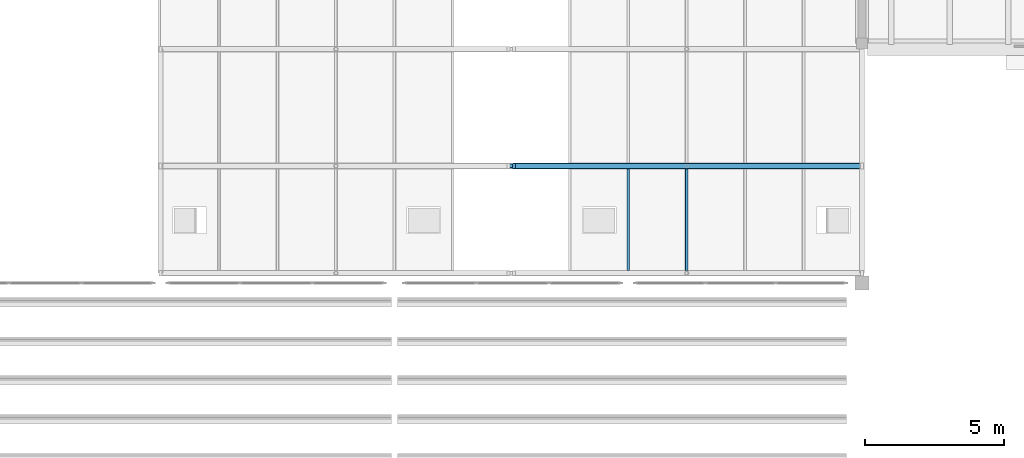
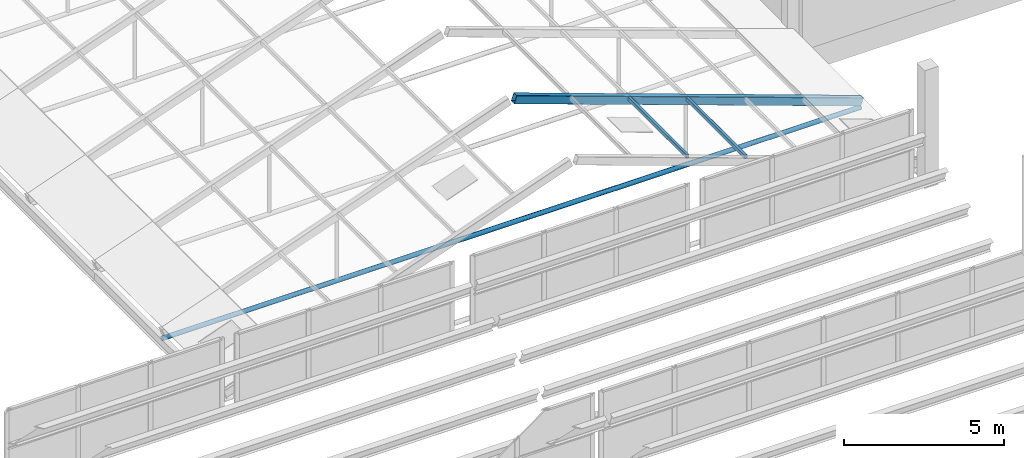
# One storey, part 29 of 116: 4 members.
"""IFC4 building model written with IfcOpenShell, lengths in metres."""

from ifc_helpers import new_model, si_unit, direction, frame, origin, origin_2d, place, context, subcontext, project, spatial, hollow_rectangle, hollow_circle, extrude, material, material_profile, profile_set, type_object, element, save


model = new_model("IFC4")

# Units and contexts
model_context = context("Model", 3, precision=1e-05, world=origin(), true_north=direction((0.0, 1.0)))
body_context = subcontext(model_context, "Body", "Model", "MODEL_VIEW")
ifc_project = project(units=[si_unit("LENGTHUNIT", "METRE"), si_unit("AREAUNIT", "SQUARE_METRE"), si_unit("VOLUMEUNIT", "CUBIC_METRE"), si_unit("PLANEANGLEUNIT", "RADIAN"), si_unit("MASSUNIT", "GRAM", prefix="KILO")], contexts=[model_context])

# Site, building, storey
site_placement = place(None, origin())
site = spatial("IfcSite", under=ifc_project, at=site_placement, CompositionType="ELEMENT")
building_placement = place(site_placement, origin())
building = spatial("IfcBuilding", under=site, at=building_placement, Name="Fescue Hill Polytechnic", CompositionType="ELEMENT")
storey_placement = place(building_placement, frame((0.0, 0.0, 13.5)))
storey = spatial("IfcBuildingStorey", under=building, at=storey_placement, Name="L03", CompositionType="ELEMENT", Elevation=13.5)

# Members
ifc_material = material(Name="Steel 350W (350 MPa)", Category="steel")
ifc_material_profile_1 = material_profile(ifc_material, hollow_rectangle(XDim=0.1015625, YDim=0.15234375, WallThickness=0.00634765625, InnerFilletRadius=0.00634765625, OuterFilletRadius=0.0126953125, at=origin_2d()), Name="Winter garden glazing purlin HSS 152x102x6.4")
ifc_profile_set_1 = profile_set([ifc_material_profile_1], Name="Steel 350W (350 MPa)")
member_type_1 = type_object("IfcMemberType", Name="Winter garden glazing purlin HSS 152x102x6.4", PredefinedType="PURLIN", material=ifc_profile_set_1)
for number, where, z_axis, x_axis, name in (
    (1, (111.30029296875, 50.8515625, 2.914306640625), (0.0, 1.0, 0.0), (-1.0, 0.0, 0.0), "Winter garden glazing purlin E3 bay 1"),
    (2, (109.200439453125, 50.8515625, 3.664306640625), (0.0, 1.0, 0.0), (-1.0, 0.0, 0.0), "Winter garden glazing purlin E4 bay 1"),
):
    element("IfcMember", number, at=place(storey_placement, frame(where, z_axis=z_axis, x_axis=x_axis)), inside=storey, type_object=member_type_1, Name=name, PredefinedType="PURLIN", context=body_context, shape_type="SweptSolid", body=[
        extrude(hollow_rectangle(XDim=0.1015625, YDim=0.15234375, WallThickness=0.00634765625, InnerFilletRadius=0.00634765625, OuterFilletRadius=0.0126953125, at=origin_2d()), origin(), (0.0, 0.0, 1.0), 3.646728515625),
    ])
ifc_material_profile_2 = material_profile(ifc_material, hollow_rectangle(XDim=0.203125, YDim=0.3046875, WallThickness=0.009521484375, InnerFilletRadius=0.009521484375, OuterFilletRadius=0.01904296875, at=origin_2d()), Name="Winter garden rafter HSS 305x203x9.5")
ifc_profile_set_2 = profile_set([ifc_material_profile_2], Name="Steel 350W (350 MPa)")
member_type_2 = type_object("IfcMemberType", Name="Winter garden rafter HSS 305x203x9.5", PredefinedType="RAFTER", material=ifc_profile_set_2)
member_1_placement = place(storey_placement, frame((117.60009765625, 54.60009765625, 0.578857421875), z_axis=(-0.941740247025, 0.0, 0.336341057756), x_axis=(0.0, -1.0, 0.0)))
element("IfcMember", 3, at=member_1_placement, inside=storey, type_object=member_type_2, Name="Winter garden rafter E2", PredefinedType="RAFTER", context=body_context, shape_type="SweptSolid", body=[
    extrude(hollow_rectangle(XDim=0.203125, YDim=0.3046875, WallThickness=0.009521484375, InnerFilletRadius=0.009521484375, OuterFilletRadius=0.01904296875, at=origin_2d()), origin(), (0.0, 0.0, 1.0), 13.273193359375),
])
ifc_material_profile_3 = material_profile(ifc_material, hollow_circle(Radius=0.084228515625, WallThickness=0.009521484375, at=origin_2d()), Name="Winter garden tie CHS 168x9.5")
ifc_profile_set_3 = profile_set([ifc_material_profile_3], Name="Steel 350W (350 MPa)")
member_type_3 = type_object("IfcMemberType", Name="Winter garden tie CHS 168x9.5", PredefinedType="STRUT", material=ifc_profile_set_3)
member_2_placement = place(storey_placement, frame((92.39990234375, 54.60009765625, 0.332763671875), z_axis=(1.0, 0.0, 0.0), x_axis=(0.0, 1.0, 0.0)))
element("IfcMember", 4, at=member_2_placement, inside=storey, type_object=member_type_3, Name="Winter garden tie 2", PredefinedType="STRUT", context=body_context, shape_type="SweptSolid", body=[
    extrude(hollow_circle(Radius=0.084228515625, WallThickness=0.009521484375, at=origin_2d()), origin(), (0.0, 0.0, 1.0), 25.2001953125),
])

save(model, "model.ifc")
